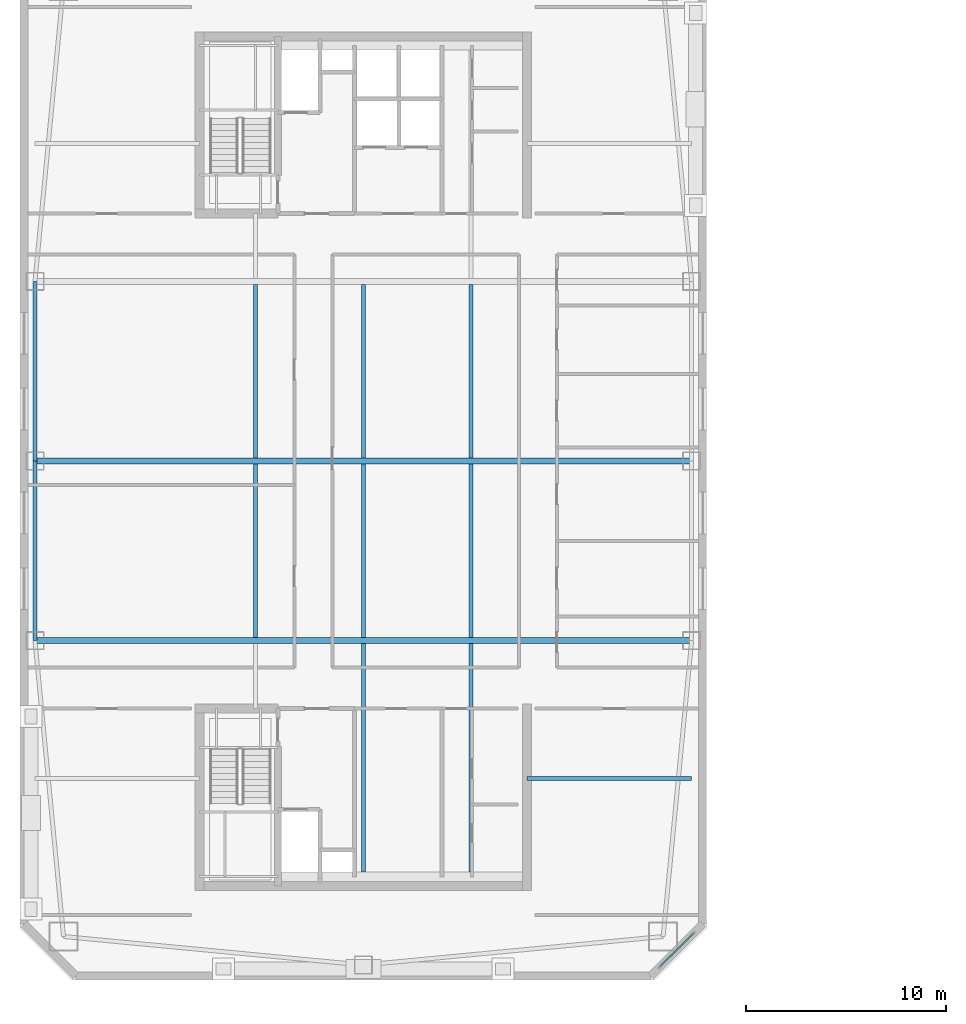
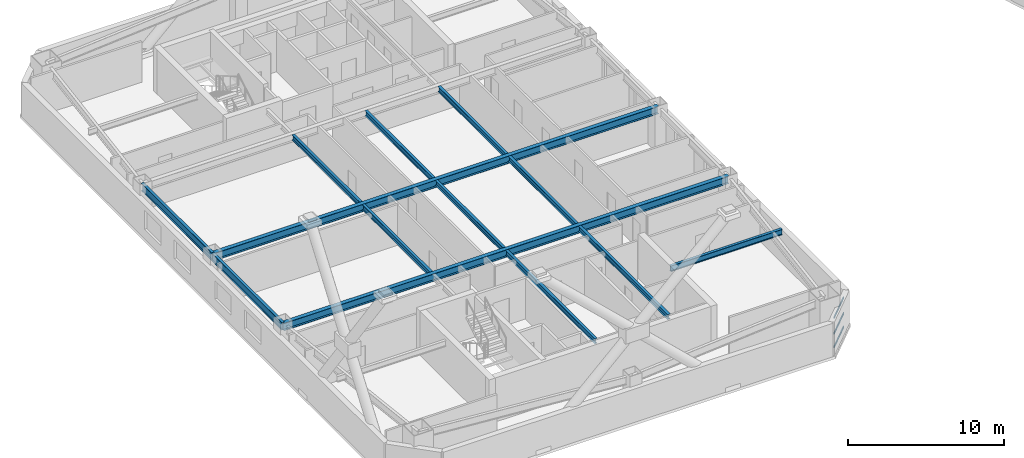
# One storey, part 5 of 25: 13 beams, 3 members, 1 element without a shape of its own.
"""IFC4 building model written with IfcOpenShell, lengths in metres."""

from ifc_helpers import new_model, si_unit, direction, frame, origin, origin_2d, place, context, subcontext, project, spatial, hollow_rectangle, i_section, extrude, material, layer, layer_set, material_profile, profile_set, type_object, element, aggregate, save


model = new_model("IFC4")

# Units and contexts
model_context = context("Model", 3, precision=1e-05, world=origin(), true_north=direction((0.0, 1.0)))
body_context = subcontext(model_context, "Body", "Model", "MODEL_VIEW")
ifc_project = project(units=[si_unit("LENGTHUNIT", "METRE"), si_unit("AREAUNIT", "SQUARE_METRE"), si_unit("VOLUMEUNIT", "CUBIC_METRE"), si_unit("PLANEANGLEUNIT", "RADIAN"), si_unit("MASSUNIT", "GRAM", prefix="KILO")], contexts=[model_context])

# Site, building, storey
site_placement = place(None, origin())
site = spatial("IfcSite", under=ifc_project, at=site_placement, CompositionType="ELEMENT")
building_placement = place(site_placement, origin())
building = spatial("IfcBuilding", under=site, at=building_placement, Name="Qiaolan Cultural Towers", CompositionType="ELEMENT")
storey_placement = place(building_placement, frame((0.0, 0.0, 202.39990234375)))
storey = spatial("IfcBuildingStorey", under=building, at=storey_placement, Name="L54", CompositionType="ELEMENT", Elevation=202.39990234375)

# Beams
ifc_material_1 = material(Name="Steel Q355B", Category="steel")
ifc_material_profile_1 = material_profile(ifc_material_1, i_section(OverallWidth=0.300048828125, OverallDepth=0.587890625, WebThickness=0.011962890625, FlangeThickness=0.02001953125, at=origin_2d()), Name="HM588x300x12x20")
ifc_profile_set_1 = profile_set([ifc_material_profile_1], Name="Steel Q355B")
beam_type_1 = type_object("IfcBeamType", Name="BM-HM588x300x12x20", PredefinedType="BEAM", material=ifc_profile_set_1)
for number, where, z_axis, x_axis, name in (
    (1, (13.550048828125, 25.0, 2.89599609375), (1.0, 0.0, 0.0), (0.0, 1.0, 0.0), "L54 T1 Primary Transverse Girder V1"),
    (2, (13.550048828125, 34.0, 2.89599609375), (1.0, 0.0, 0.0), (0.0, 1.0, 0.0), "L54 T1 Primary Transverse Girder V2"),
):
    element("IfcBeam", number, at=place(storey_placement, frame(where, z_axis=z_axis, x_axis=x_axis)), inside=storey, type_object=beam_type_1, Name=name, PredefinedType="BEAM", context=body_context, shape_type="SweptSolid", body=[
        extrude(i_section(OverallWidth=0.300048828125, OverallDepth=0.587890625, WebThickness=0.011962890625, FlangeThickness=0.02001953125, at=origin_2d()), origin(), (0.0, 0.0, 1.0), 32.89990234375),
    ])
ifc_material_2 = material(Name="Steel Q355B", Category="steel")
ifc_material_profile_2 = material_profile(ifc_material_2, i_section(OverallWidth=0.199951171875, OverallDepth=0.39990234375, WebThickness=0.008056640625, FlangeThickness=0.012939453125, at=origin_2d()), Name="HN400x200x8x13")
ifc_profile_set_2 = profile_set([ifc_material_profile_2], Name="Steel Q355B")
beam_type_2 = type_object("IfcBeamType", Name="BM-JST-HN400x200x8x13", PredefinedType="JOIST", material=ifc_profile_set_2)
for number, where, z_axis, x_axis, name in (
    (3, (24.60009765625, 25.14990234375, 2.989990234375), (0.0, 1.0, 0.0), (-1.0, 0.0, 0.0), "L54 T1 Secondary Floor Joist U1-2"),
    (4, (24.60009765625, 34.14990234375, 2.989990234375), (0.0, 1.0, 0.0), (-1.0, 0.0, 0.0), "L54 T1 Secondary Floor Joist U1-3"),
):
    element("IfcBeam", number, at=place(storey_placement, frame(where, z_axis=z_axis, x_axis=x_axis)), inside=storey, type_object=beam_type_2, Name=name, PredefinedType="JOIST", context=body_context, shape_type="SweptSolid", body=[
        extrude(i_section(OverallWidth=0.199951171875, OverallDepth=0.39990234375, WebThickness=0.008056640625, FlangeThickness=0.012939453125, at=origin_2d()), origin(), (0.0, 0.0, 1.0), 8.7001953125),
    ])
beam_1_placement = place(storey_placement, frame((30.0, 13.39990234375, 2.989990234375), z_axis=(0.0, 1.0, 0.0), x_axis=(-1.0, 0.0, 0.0)))
element("IfcBeam", 5, at=beam_1_placement, inside=storey, type_object=beam_type_2, Name="L54 T1 Secondary Floor Joist U2-1", PredefinedType="JOIST", context=body_context, shape_type="SweptSolid", body=[
    extrude(i_section(OverallWidth=0.199951171875, OverallDepth=0.39990234375, WebThickness=0.008056640625, FlangeThickness=0.012939453125, at=origin_2d()), origin(), (0.0, 0.0, 1.0), 11.4501953125),
])
for number, where, z_axis, x_axis, name in (
    (6, (30.0, 25.14990234375, 2.989990234375), (0.0, 1.0, 0.0), (-1.0, 0.0, 0.0), "L54 T1 Secondary Floor Joist U2-2"),
    (7, (30.0, 34.14990234375, 2.989990234375), (0.0, 1.0, 0.0), (-1.0, 0.0, 0.0), "L54 T1 Secondary Floor Joist U2-3"),
):
    element("IfcBeam", number, at=place(storey_placement, frame(where, z_axis=z_axis, x_axis=x_axis)), inside=storey, type_object=beam_type_2, Name=name, PredefinedType="JOIST", context=body_context, shape_type="SweptSolid", body=[
        extrude(i_section(OverallWidth=0.199951171875, OverallDepth=0.39990234375, WebThickness=0.008056640625, FlangeThickness=0.012939453125, at=origin_2d()), origin(), (0.0, 0.0, 1.0), 8.7001953125),
    ])
beam_2_placement = place(storey_placement, frame((35.39990234375, 13.39990234375, 2.989990234375), z_axis=(0.0, 1.0, 0.0), x_axis=(-1.0, 0.0, 0.0)))
element("IfcBeam", 8, at=beam_2_placement, inside=storey, type_object=beam_type_2, Name="L54 T1 Secondary Floor Joist U3-1", PredefinedType="JOIST", context=body_context, shape_type="SweptSolid", body=[
    extrude(i_section(OverallWidth=0.199951171875, OverallDepth=0.39990234375, WebThickness=0.008056640625, FlangeThickness=0.012939453125, at=origin_2d()), origin(), (0.0, 0.0, 1.0), 11.4501953125),
])
for number, where, z_axis, x_axis, name in (
    (9, (35.39990234375, 25.14990234375, 2.989990234375), (0.0, 1.0, 0.0), (-1.0, 0.0, 0.0), "L54 T1 Secondary Floor Joist U3-2"),
    (10, (35.39990234375, 34.14990234375, 2.989990234375), (0.0, 1.0, 0.0), (-1.0, 0.0, 0.0), "L54 T1 Secondary Floor Joist U3-3"),
):
    element("IfcBeam", number, at=place(storey_placement, frame(where, z_axis=z_axis, x_axis=x_axis)), inside=storey, type_object=beam_type_2, Name=name, PredefinedType="JOIST", context=body_context, shape_type="SweptSolid", body=[
        extrude(i_section(OverallWidth=0.199951171875, OverallDepth=0.39990234375, WebThickness=0.008056640625, FlangeThickness=0.012939453125, at=origin_2d()), origin(), (0.0, 0.0, 1.0), 8.7001953125),
    ])
ifc_material_3 = material(Name="Steel Q355B", Category="steel")
ifc_material_profile_3 = material_profile(ifc_material_3, i_section(OverallWidth=0.199951171875, OverallDepth=0.449951171875, WebThickness=0.009033203125, FlangeThickness=0.013916015625, at=origin_2d()), Name="HN450x200x9x14")
ifc_profile_set_3 = profile_set([ifc_material_profile_3], Name="Steel Q355B")
beam_type_3 = type_object("IfcBeamType", Name="BM-LNT-HN450x200x9x14", PredefinedType="LINTEL", material=ifc_profile_set_3)
beam_3_placement = place(storey_placement, frame((38.199951171875, 18.10009765625, 2.965087890625), z_axis=(1.0, 0.0, 0.0), x_axis=(0.0, 1.0, 0.0)))
element("IfcBeam", 11, at=beam_3_placement, inside=storey, type_object=beam_type_3, Name="L54 T1 Core Flank Tie Lintel ES", PredefinedType="LINTEL", context=body_context, shape_type="SweptSolid", body=[
    extrude(i_section(OverallWidth=0.199951171875, OverallDepth=0.449951171875, WebThickness=0.009033203125, FlangeThickness=0.013916015625, at=origin_2d()), origin(), (0.0, 0.0, 1.0), 8.25),
])
ifc_material_4 = material(Name="Steel Q355B", Category="steel")
ifc_material_profile_4 = material_profile(ifc_material_4, i_section(OverallWidth=0.199951171875, OverallDepth=0.60009765625, WebThickness=0.010986328125, FlangeThickness=0.01708984375, at=origin_2d()), Name="HN600x200x11x17")
ifc_profile_set_4 = profile_set([ifc_material_profile_4], Name="Steel Q355B")
beam_type_4 = type_object("IfcBeamType", Name="BM-SPD-HN600x200x11x17", PredefinedType="SPANDREL", material=ifc_profile_set_4)
for number, where, z_axis, x_axis, name in (
    (12, (13.550048828125, 43.0, 2.89013671875), (0.0, -1.0, 0.0), (1.0, 0.0, 0.0), "L54 T1 Perimeter Spandrel Beam 10"),
    (13, (13.550048828125, 34.0, 2.89013671875), (0.0, -1.0, 0.0), (1.0, 0.0, 0.0), "L54 T1 Perimeter Spandrel Beam 11"),
):
    element("IfcBeam", number, at=place(storey_placement, frame(where, z_axis=z_axis, x_axis=x_axis)), inside=storey, type_object=beam_type_4, Name=name, PredefinedType="SPANDREL", context=body_context, shape_type="SweptSolid", body=[
        extrude(i_section(OverallWidth=0.199951171875, OverallDepth=0.60009765625, WebThickness=0.010986328125, FlangeThickness=0.01708984375, at=origin_2d()), origin(), (0.0, 0.0, 1.0), 9.0),
    ])

# Curtain wall, members
ifc_material_5 = material(Name="Unitized Anodized Aluminium Curtain Wall System", Category="aluminium")
ifc_layer = layer(ifc_material_5, 0.199951171875)
ifc_layer_set = layer_set([ifc_layer], Name="Unitized Anodized Aluminium Curtain Wall System")
curtain_wall_type = type_object("IfcCurtainWallType", Name="CWS-05", PredefinedType="NOTDEFINED", material=ifc_layer_set)
curtain_wall_placement = place(storey_placement, origin())
curtain_wall = element("IfcCurtainWall", 14, at=curtain_wall_placement, inside=storey, type_object=curtain_wall_type, Name="L54 T1 Chamfer Wind-Corner Feature Curtain Wall 2", PredefinedType="NOTDEFINED")
ifc_material_6 = material(Name="Extruded Aluminium 6063-T6", Category="aluminium")
ifc_material_profile_5 = material_profile(ifc_material_6, hollow_rectangle(XDim=0.06494140625, YDim=0.14990234375, WallThickness=0.00390625, at=origin_2d()), Name="CWT-150x65x4")
ifc_profile_set_5 = profile_set([ifc_material_profile_5], Name="Extruded Aluminium 6063-T6")
member_type = type_object("IfcMemberType", Name="CWS-05-TRN", PredefinedType="USERDEFINED", material=ifc_profile_set_5)
member_1_placement = place(storey_placement, frame((46.531005859375, 10.3310546875, 0.1826171875), z_axis=(-0.707054843416, -0.707158715143, 0.0), x_axis=(0.707158715143, -0.707054843416, 0.0)))
member_1 = element("IfcMember", 15, at=member_1_placement, type_object=member_type, Name="CW-5 transom 1.1", ObjectType="TRANSOM", PredefinedType="USERDEFINED", context=body_context, shape_type="SweptSolid", body=[
    extrude(hollow_rectangle(XDim=0.06494140625, YDim=0.14990234375, WallThickness=0.00390625, at=origin_2d()), origin(), (0.0, 0.0, 1.0), 2.350341796875),
])
member_2_placement = place(storey_placement, frame((46.531005859375, 10.3310546875, 1.25), z_axis=(-0.707054843416, -0.707158715143, 0.0), x_axis=(0.707158715143, -0.707054843416, 0.0)))
member_2 = element("IfcMember", 16, at=member_2_placement, type_object=member_type, Name="CW-5 transom 1.2", ObjectType="TRANSOM", PredefinedType="USERDEFINED", context=body_context, shape_type="SweptSolid", body=[
    extrude(hollow_rectangle(XDim=0.06494140625, YDim=0.14990234375, WallThickness=0.00390625, at=origin_2d()), origin(), (0.0, 0.0, 1.0), 2.350341796875),
])
member_3_placement = place(storey_placement, frame((46.531005859375, 10.3310546875, 2.4775390625), z_axis=(-0.707054843416, -0.707158715143, 0.0), x_axis=(0.707158715143, -0.707054843416, 0.0)))
member_3 = element("IfcMember", 17, at=member_3_placement, type_object=member_type, Name="CW-5 transom 1.3", ObjectType="TRANSOM", PredefinedType="USERDEFINED", context=body_context, shape_type="SweptSolid", body=[
    extrude(hollow_rectangle(XDim=0.06494140625, YDim=0.14990234375, WallThickness=0.00390625, at=origin_2d()), origin(), (0.0, 0.0, 1.0), 2.350341796875),
])
aggregate(curtain_wall, [member_1, member_2, member_3])

save(model, "model.ifc")
